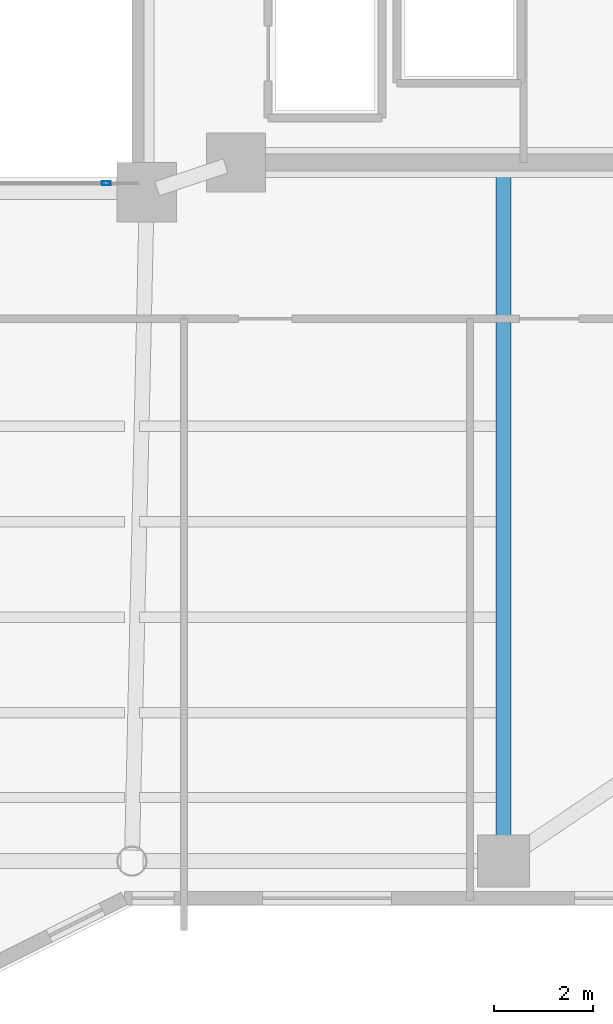
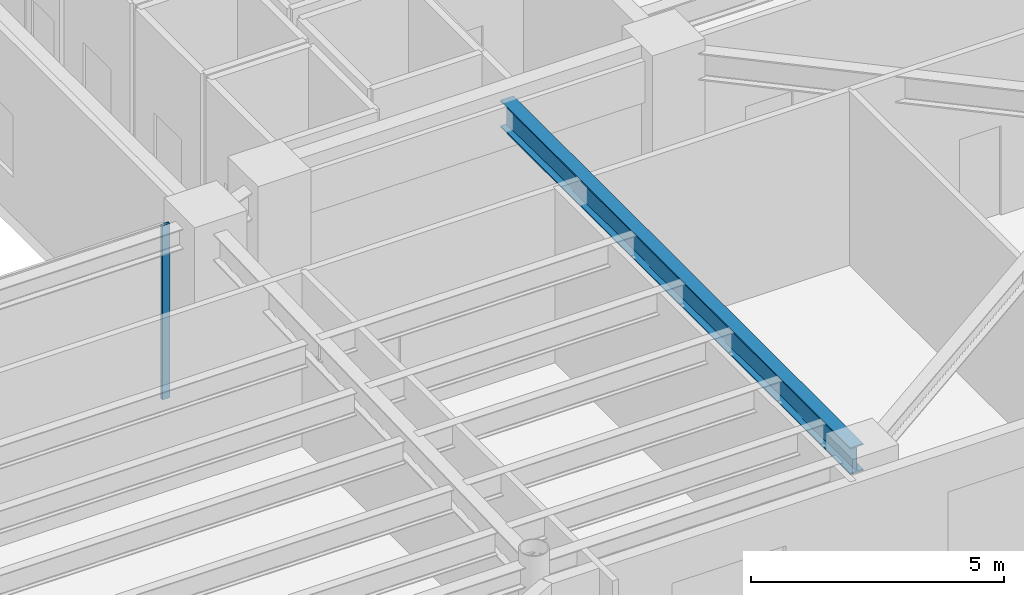
# One storey, part 14 of 37: 1 beam, 1 member, 1 element without a shape of its own.
"""IFC4 building model written with IfcOpenShell, lengths in metres."""

from ifc_helpers import new_model, si_unit, direction, frame, origin, origin_2d, place, context, subcontext, project, spatial, hollow_rectangle, i_section, extrude, material, layer, layer_set, material_profile, profile_set, type_object, element, aggregate, save


model = new_model("IFC4")

# Units and contexts
model_context = context("Model", 3, precision=1e-05, world=origin(), true_north=direction((0.0, 1.0)))
body_context = subcontext(model_context, "Body", "Model", "MODEL_VIEW")
ifc_project = project(units=[si_unit("LENGTHUNIT", "METRE"), si_unit("AREAUNIT", "SQUARE_METRE"), si_unit("VOLUMEUNIT", "CUBIC_METRE"), si_unit("PLANEANGLEUNIT", "RADIAN"), si_unit("MASSUNIT", "GRAM", prefix="KILO")], contexts=[model_context])

# Site, building, storey
site_placement = place(None, origin())
site = spatial("IfcSite", under=ifc_project, at=site_placement, CompositionType="ELEMENT")
building_placement = place(site_placement, origin())
building = spatial("IfcBuilding", under=site, at=building_placement, Name="Tarnavaz Court Tower", CompositionType="ELEMENT")
storey_placement = place(building_placement, frame((0.0, 0.0, 118.5)))
storey = spatial("IfcBuildingStorey", under=building, at=storey_placement, Name="L32", CompositionType="ELEMENT", Elevation=118.5)

# Beam
ifc_material_1 = material(Name="Steel S355", Category="steel")
ifc_material_profile_1 = material_profile(ifc_material_1, i_section(OverallWidth=0.300048828125, OverallDepth=0.64990234375, WebThickness=0.01611328125, FlangeThickness=0.031005859375, FilletRadius=0.027099609375, at=origin_2d()), Name="HEB 650")
ifc_profile_set_1 = profile_set([ifc_material_profile_1], Name="Steel S355")
beam_type = type_object("IfcBeamType", Name="BM-G-HEB650", PredefinedType="USERDEFINED", material=ifc_profile_set_1)
beam_placement = place(storey_placement, frame((15.0, -7.239990234375, 3.875), z_axis=(0.0, -1.0, 0.0), x_axis=(1.0, 0.0, 0.0)))
element("IfcBeam", 1, at=beam_placement, inside=storey, type_object=beam_type, Name="L32 Beam RG-08", ObjectType="GIRDER", PredefinedType="USERDEFINED", context=body_context, shape_type="SweptSolid", body=[
    extrude(i_section(OverallWidth=0.300048828125, OverallDepth=0.64990234375, WebThickness=0.01611328125, FlangeThickness=0.031005859375, FilletRadius=0.027099609375, at=origin_2d()), origin(), (0.0, 0.0, 1.0), 13.840087890625),
])

# Curtain wall, member
ifc_material_2 = material(Name="Anodised Aluminium 6063-T6 and Solar Low-E Glazing", Category="aluminium")
ifc_layer = layer(ifc_material_2, 0.139892578125)
ifc_layer_set = layer_set([ifc_layer], Name="Anodised Aluminium 6063-T6 and Solar Low-E Glazing")
curtain_wall_type = type_object("IfcCurtainWallType", Name="CW-SYS-04", PredefinedType="NOTDEFINED", material=ifc_layer_set)
curtain_wall_placement = place(storey_placement, origin())
curtain_wall = element("IfcCurtainWall", 2, at=curtain_wall_placement, inside=storey, type_object=curtain_wall_type, Name="L32 Badgir Courtyard Curtain Wall S", PredefinedType="NOTDEFINED")
ifc_material_3 = material(Name="Anodised Aluminium 6063-T6", Category="aluminium")
ifc_material_profile_2 = material_profile(ifc_material_3, hollow_rectangle(XDim=0.074951171875, YDim=0.179931640625, WallThickness=0.0048828125, InnerFilletRadius=0.0048828125, OuterFilletRadius=0.010009765625, at=origin_2d()), Name="ALU RHS 180X75X5")
ifc_profile_set_2 = profile_set([ifc_material_profile_2], Name="Anodised Aluminium 6063-T6")
member_type = type_object("IfcMemberType", Name="CW-MUL-180", PredefinedType="MULLION", material=ifc_profile_set_2)
member_placement = place(storey_placement, frame((6.982421875, -7.6201171875, 0.0), z_axis=(0.0, 0.0, 1.0), x_axis=(0.0, 1.0, 0.0)))
member = element("IfcMember", 3, at=member_placement, type_object=member_type, Name="CW mullion 4", PredefinedType="MULLION", context=body_context, shape_type="SweptSolid", body=[
    extrude(hollow_rectangle(XDim=0.074951171875, YDim=0.179931640625, WallThickness=0.0048828125, InnerFilletRadius=0.0048828125, OuterFilletRadius=0.010009765625, at=origin_2d()), origin(), (0.0, 0.0, 1.0), 4.199951171875),
])
aggregate(curtain_wall, [member])

save(model, "model.ifc")
